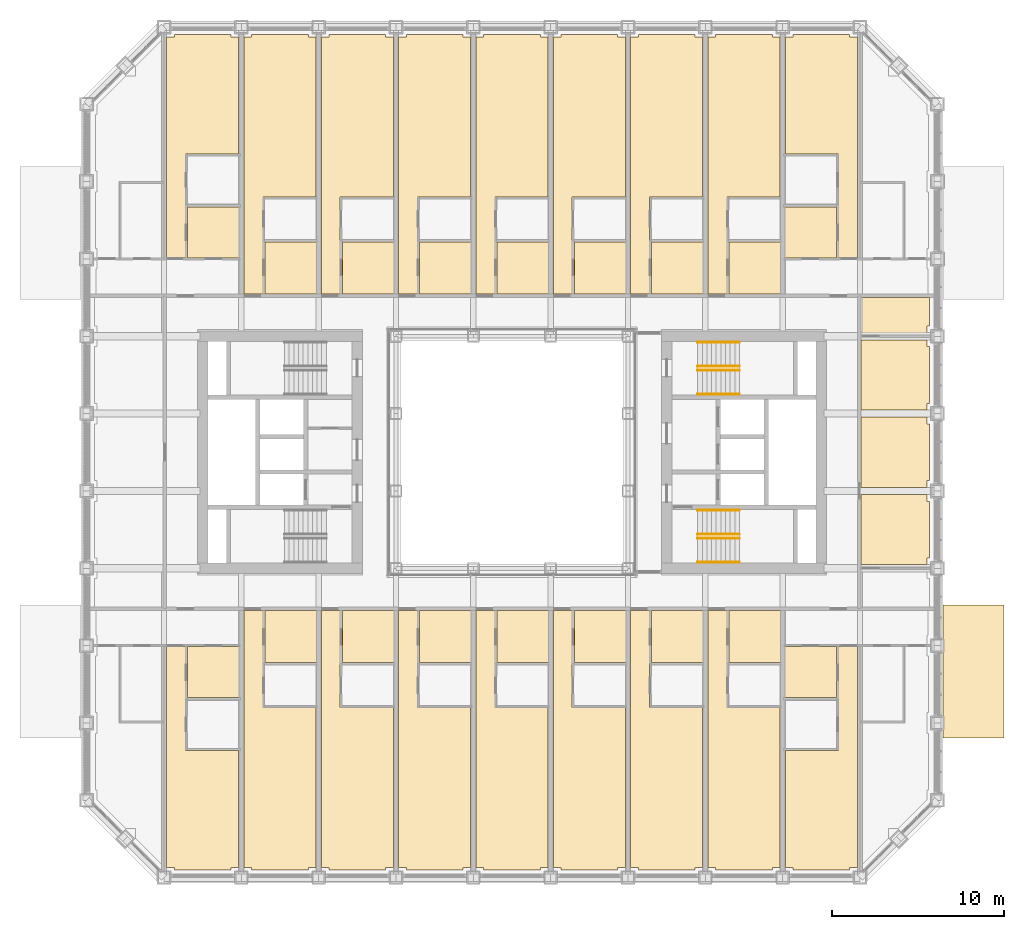
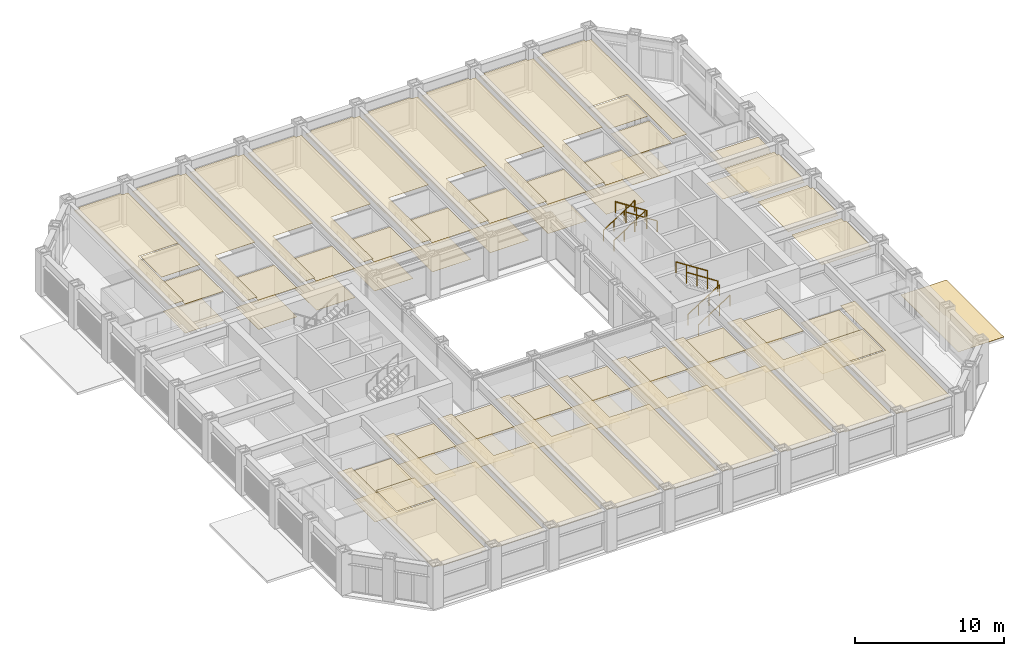
# One storey, part 23 of 24: 8 railings, 4 coverings.
"""IFC4 building model written with IfcOpenShell, lengths in metres."""

from ifc_helpers import new_model, si_unit, direction, frame, origin, origin_2d, place, context, subcontext, project, spatial, line, indexed_curve, circle, outline, extrude, material, layer, layer_set, type_object, element, save


model = new_model("IFC4")

# Units and contexts
model_context = context("Model", 3, precision=1e-05, world=origin(), true_north=direction((0.0, 1.0)))
body_context = subcontext(model_context, "Body", "Model", "MODEL_VIEW")
ifc_project = project(units=[si_unit("LENGTHUNIT", "METRE"), si_unit("AREAUNIT", "SQUARE_METRE"), si_unit("VOLUMEUNIT", "CUBIC_METRE"), si_unit("PLANEANGLEUNIT", "RADIAN"), si_unit("MASSUNIT", "GRAM", prefix="KILO")], contexts=[model_context])

# Site, building, storey
site_placement = place(None, origin())
site = spatial("IfcSite", under=ifc_project, at=site_placement, CompositionType="ELEMENT")
building_placement = place(site_placement, origin())
building = spatial("IfcBuilding", under=site, at=building_placement, Name="Msasa Ring Tower", CompositionType="ELEMENT")
storey_placement = place(building_placement, frame((0.0, 0.0, 26.5)))
storey = spatial("IfcBuildingStorey", under=building, at=storey_placement, Name="L05", CompositionType="ELEMENT", Elevation=26.5)

# Coverings
ifc_material_1 = material(Name="Gypsum plasterboard on a steel suspension grid", Category="steel")
ifc_layer_1 = layer(ifc_material_1, 0.014892578125)
ifc_layer_set_1 = layer_set([ifc_layer_1], Name="C1 SUSPENDED PLASTERBOARD CEILING 15")
covering_type_1 = type_object("IfcCoveringType", Name="C1 SUSPENDED PLASTERBOARD CEILING 15", PredefinedType="CEILING", material=ifc_layer_set_1)
covering_1_placement = place(storey_placement, frame((0.0, 0.0, 2.699951171875)))
element("IfcCovering", 1, at=covering_1_placement, inside=storey, type_object=covering_type_1, Name="Suspended Plasterboard Ceiling 15 L05", PredefinedType="CEILING", context=body_context, shape_type="SweptSolid", body=[
    extrude(outline(indexed_curve([(-19.6494140625, -24.299560546875), (-19.6494140625, -24.1494140625), (-20.095703125, -24.1494140625), (-20.095703125, -11.300537109375), (-19.00048828125, -11.300537109375), (-19.00048828125, -17.34130859375), (-15.904296875, -17.34130859375), (-15.904296875, -24.1494140625), (-16.3505859375, -24.1494140625), (-16.3505859375, -24.299560546875)], segments=[line(1, 2, 3, 4, 5, 6, 7, 8, 9, 10, 1)], self_intersect=False)), origin(), (0.0, 0.0, 1.0), 0.01513671875),
    extrude(outline(indexed_curve([(-19.00048828125, 11.300537109375), (-20.095703125, 11.300537109375), (-20.095703125, 24.1494140625), (-19.6494140625, 24.1494140625), (-19.6494140625, 24.299560546875), (-16.3505859375, 24.299560546875), (-16.3505859375, 24.1494140625), (-15.904296875, 24.1494140625), (-15.904296875, 17.34130859375), (-19.00048828125, 17.34130859375)], segments=[line(1, 2, 3, 4, 5, 6, 7, 8, 9, 10, 1)], self_intersect=False)), origin(), (0.0, 0.0, 1.0), 0.01513671875),
    extrude(outline(indexed_curve([(-18.8994140625, -14.430419921875), (-15.904296875, -14.430419921875), (-15.904296875, -17.2353515625), (-18.8994140625, -17.2353515625)], segments=[line(1, 2, 3, 4, 1)], self_intersect=False)), origin(), (0.0, 0.0, 1.0), 0.01513671875),
    extrude(outline(indexed_curve([(-15.904296875, 17.2353515625), (-15.904296875, 14.430419921875), (-18.8994140625, 14.430419921875), (-18.8994140625, 17.2353515625)], segments=[line(1, 2, 3, 4, 1)], self_intersect=False)), origin(), (0.0, 0.0, 1.0), 0.01513671875),
    extrude(outline(indexed_curve([(-15.1494140625, -24.299560546875), (-15.1494140625, -24.1494140625), (-15.595703125, -24.1494140625), (-15.595703125, -9.200439453125), (-14.50048828125, -9.200439453125), (-14.50048828125, -14.8505859375), (-11.404296875, -14.8505859375), (-11.404296875, -24.1494140625), (-11.8505859375, -24.1494140625), (-11.8505859375, -24.299560546875)], segments=[line(1, 2, 3, 4, 5, 6, 7, 8, 9, 10, 1)], self_intersect=False)), origin(), (0.0, 0.0, 1.0), 0.01513671875),
    extrude(outline(indexed_curve([(-11.8505859375, 24.299560546875), (-11.8505859375, 24.1494140625), (-11.404296875, 24.1494140625), (-11.404296875, 14.8505859375), (-14.50048828125, 14.8505859375), (-14.50048828125, 9.200439453125), (-15.595703125, 9.200439453125), (-15.595703125, 24.1494140625), (-15.1494140625, 24.1494140625), (-15.1494140625, 24.299560546875)], segments=[line(1, 2, 3, 4, 5, 6, 7, 8, 9, 10, 1)], self_intersect=False)), origin(), (0.0, 0.0, 1.0), 0.01513671875),
    extrude(outline(indexed_curve([(-10.6494140625, -24.299560546875), (-10.6494140625, -24.1494140625), (-11.095703125, -24.1494140625), (-11.095703125, -9.200439453125), (-10.00048828125, -9.200439453125), (-10.00048828125, -14.8505859375), (-6.904296875, -14.8505859375), (-6.904296875, -24.1494140625), (-7.3505859375, -24.1494140625), (-7.3505859375, -24.299560546875)], segments=[line(1, 2, 3, 4, 5, 6, 7, 8, 9, 10, 1)], self_intersect=False)), origin(), (0.0, 0.0, 1.0), 0.01513671875),
    extrude(outline(indexed_curve([(-11.095703125, 9.200439453125), (-11.095703125, 24.1494140625), (-10.6494140625, 24.1494140625), (-10.6494140625, 24.299560546875), (-7.3505859375, 24.299560546875), (-7.3505859375, 24.1494140625), (-6.904296875, 24.1494140625), (-6.904296875, 14.8505859375), (-10.00048828125, 14.8505859375), (-10.00048828125, 9.200439453125)], segments=[line(1, 2, 3, 4, 5, 6, 7, 8, 9, 10, 1)], self_intersect=False)), origin(), (0.0, 0.0, 1.0), 0.01513671875),
    extrude(outline(indexed_curve([(-5.50048828125, -9.200439453125), (-5.50048828125, -14.8505859375), (-2.404296875, -14.8505859375), (-2.404296875, -24.1494140625), (-2.8505859375, -24.1494140625), (-2.8505859375, -24.299560546875), (-6.1494140625, -24.299560546875), (-6.1494140625, -24.1494140625), (-6.595703125, -24.1494140625), (-6.595703125, -9.200439453125)], segments=[line(1, 2, 3, 4, 5, 6, 7, 8, 9, 10, 1)], self_intersect=False)), origin(), (0.0, 0.0, 1.0), 0.01513671875),
    extrude(outline(indexed_curve([(-2.8505859375, 24.299560546875), (-2.8505859375, 24.1494140625), (-2.404296875, 24.1494140625), (-2.404296875, 14.8505859375), (-5.50048828125, 14.8505859375), (-5.50048828125, 9.200439453125), (-6.595703125, 9.200439453125), (-6.595703125, 24.1494140625), (-6.1494140625, 24.1494140625), (-6.1494140625, 24.299560546875)], segments=[line(1, 2, 3, 4, 5, 6, 7, 8, 9, 10, 1)], self_intersect=False)), origin(), (0.0, 0.0, 1.0), 0.01513671875),
    extrude(outline(indexed_curve([(-1.00048828125, -9.200439453125), (-1.00048828125, -14.8505859375), (2.095703125, -14.8505859375), (2.095703125, -24.1494140625), (1.6494140625, -24.1494140625), (1.6494140625, -24.299560546875), (-1.6494140625, -24.299560546875), (-1.6494140625, -24.1494140625), (-2.095703125, -24.1494140625), (-2.095703125, -9.200439453125)], segments=[line(1, 2, 3, 4, 5, 6, 7, 8, 9, 10, 1)], self_intersect=False)), origin(), (0.0, 0.0, 1.0), 0.01513671875),
    extrude(outline(indexed_curve([(1.6494140625, 24.299560546875), (1.6494140625, 24.1494140625), (2.095703125, 24.1494140625), (2.095703125, 14.8505859375), (-1.00048828125, 14.8505859375), (-1.00048828125, 9.200439453125), (-2.095703125, 9.200439453125), (-2.095703125, 24.1494140625), (-1.6494140625, 24.1494140625), (-1.6494140625, 24.299560546875)], segments=[line(1, 2, 3, 4, 5, 6, 7, 8, 9, 10, 1)], self_intersect=False)), origin(), (0.0, 0.0, 1.0), 0.01513671875),
    extrude(outline(indexed_curve([(3.49951171875, -9.200439453125), (3.49951171875, -14.8505859375), (6.595703125, -14.8505859375), (6.595703125, -24.1494140625), (6.1494140625, -24.1494140625), (6.1494140625, -24.299560546875), (2.8505859375, -24.299560546875), (2.8505859375, -24.1494140625), (2.404296875, -24.1494140625), (2.404296875, -9.200439453125)], segments=[line(1, 2, 3, 4, 5, 6, 7, 8, 9, 10, 1)], self_intersect=False)), origin(), (0.0, 0.0, 1.0), 0.01513671875),
    extrude(outline(indexed_curve([(6.1494140625, 24.299560546875), (6.1494140625, 24.1494140625), (6.595703125, 24.1494140625), (6.595703125, 14.8505859375), (3.49951171875, 14.8505859375), (3.49951171875, 9.200439453125), (2.404296875, 9.200439453125), (2.404296875, 24.1494140625), (2.8505859375, 24.1494140625), (2.8505859375, 24.299560546875)], segments=[line(1, 2, 3, 4, 5, 6, 7, 8, 9, 10, 1)], self_intersect=False)), origin(), (0.0, 0.0, 1.0), 0.01513671875),
    extrude(outline(indexed_curve([(7.3505859375, -24.299560546875), (7.3505859375, -24.1494140625), (6.904296875, -24.1494140625), (6.904296875, -9.200439453125), (7.99951171875, -9.200439453125), (7.99951171875, -14.8505859375), (11.095703125, -14.8505859375), (11.095703125, -24.1494140625), (10.6494140625, -24.1494140625), (10.6494140625, -24.299560546875)], segments=[line(1, 2, 3, 4, 5, 6, 7, 8, 9, 10, 1)], self_intersect=False)), origin(), (0.0, 0.0, 1.0), 0.01513671875),
    extrude(outline(indexed_curve([(6.904296875, 9.200439453125), (6.904296875, 24.1494140625), (7.3505859375, 24.1494140625), (7.3505859375, 24.299560546875), (10.6494140625, 24.299560546875), (10.6494140625, 24.1494140625), (11.095703125, 24.1494140625), (11.095703125, 14.8505859375), (7.99951171875, 14.8505859375), (7.99951171875, 9.200439453125)], segments=[line(1, 2, 3, 4, 5, 6, 7, 8, 9, 10, 1)], self_intersect=False)), origin(), (0.0, 0.0, 1.0), 0.01513671875),
    extrude(outline(indexed_curve([(12.49951171875, -9.200439453125), (12.49951171875, -14.8505859375), (15.595703125, -14.8505859375), (15.595703125, -24.1494140625), (15.1494140625, -24.1494140625), (15.1494140625, -24.299560546875), (11.8505859375, -24.299560546875), (11.8505859375, -24.1494140625), (11.404296875, -24.1494140625), (11.404296875, -9.200439453125)], segments=[line(1, 2, 3, 4, 5, 6, 7, 8, 9, 10, 1)], self_intersect=False)), origin(), (0.0, 0.0, 1.0), 0.01513671875),
    extrude(outline(indexed_curve([(15.1494140625, 24.299560546875), (15.1494140625, 24.1494140625), (15.595703125, 24.1494140625), (15.595703125, 14.8505859375), (12.49951171875, 14.8505859375), (12.49951171875, 9.200439453125), (11.404296875, 9.200439453125), (11.404296875, 24.1494140625), (11.8505859375, 24.1494140625), (11.8505859375, 24.299560546875)], segments=[line(1, 2, 3, 4, 5, 6, 7, 8, 9, 10, 1)], self_intersect=False)), origin(), (0.0, 0.0, 1.0), 0.01513671875),
    extrude(outline(indexed_curve([(20.095703125, -11.300537109375), (20.095703125, -24.1494140625), (19.6494140625, -24.1494140625), (19.6494140625, -24.299560546875), (16.3505859375, -24.299560546875), (16.3505859375, -24.1494140625), (15.904296875, -24.1494140625), (15.904296875, -17.34130859375), (19.00048828125, -17.34130859375), (19.00048828125, -11.300537109375)], segments=[line(1, 2, 3, 4, 5, 6, 7, 8, 9, 10, 1)], self_intersect=False)), origin(), (0.0, 0.0, 1.0), 0.01513671875),
    extrude(outline(indexed_curve([(18.8994140625, -14.430419921875), (18.8994140625, -17.2353515625), (15.904296875, -17.2353515625), (15.904296875, -14.430419921875)], segments=[line(1, 2, 3, 4, 1)], self_intersect=False)), origin(), (0.0, 0.0, 1.0), 0.01513671875),
    extrude(outline(indexed_curve([(19.00048828125, 11.300537109375), (19.00048828125, 17.34130859375), (15.904296875, 17.34130859375), (15.904296875, 24.1494140625), (16.3505859375, 24.1494140625), (16.3505859375, 24.299560546875), (19.6494140625, 24.299560546875), (19.6494140625, 24.1494140625), (20.095703125, 24.1494140625), (20.095703125, 11.300537109375)], segments=[line(1, 2, 3, 4, 5, 6, 7, 8, 9, 10, 1)], self_intersect=False)), origin(), (0.0, 0.0, 1.0), 0.01513671875),
    extrude(outline(indexed_curve([(18.8994140625, 17.2353515625), (18.8994140625, 14.430419921875), (15.904296875, 14.430419921875), (15.904296875, 17.2353515625)], segments=[line(1, 2, 3, 4, 1)], self_intersect=False)), origin(), (0.0, 0.0, 1.0), 0.01513671875),
    extrude(outline(indexed_curve([(20.300537109375, -2.460693359375), (24.1494140625, -2.460693359375), (24.1494140625, -2.8505859375), (24.299560546875, -2.8505859375), (24.299560546875, -6.1494140625), (24.1494140625, -6.1494140625), (24.1494140625, -6.539306640625), (20.300537109375, -6.539306640625)], segments=[line(1, 2, 3, 4, 5, 6, 7, 8, 1)], self_intersect=False)), origin(), (0.0, 0.0, 1.0), 0.01513671875),
    extrude(outline(indexed_curve([(20.300537109375, 2.039306640625), (24.1494140625, 2.039306640625), (24.1494140625, 1.6494140625), (24.299560546875, 1.6494140625), (24.299560546875, -1.6494140625), (24.1494140625, -1.6494140625), (24.1494140625, -2.039306640625), (20.300537109375, -2.039306640625)], segments=[line(1, 2, 3, 4, 5, 6, 7, 8, 1)], self_intersect=False)), origin(), (0.0, 0.0, 1.0), 0.01513671875),
    extrude(outline(indexed_curve([(20.300537109375, 6.539306640625), (24.1494140625, 6.539306640625), (24.1494140625, 6.1494140625), (24.299560546875, 6.1494140625), (24.299560546875, 2.8505859375), (24.1494140625, 2.8505859375), (24.1494140625, 2.460693359375), (20.300537109375, 2.460693359375)], segments=[line(1, 2, 3, 4, 5, 6, 7, 8, 1)], self_intersect=False)), origin(), (0.0, 0.0, 1.0), 0.01513671875),
])
ifc_material_2 = material(Name="Moisture-resistant gypsum plasterboard on a steel suspension grid", Category="steel")
ifc_layer_2 = layer(ifc_material_2, 0.014892578125)
ifc_layer_set_2 = layer_set([ifc_layer_2], Name="C2 MOISTURE-RESISTANT PLASTERBOARD CEILING 15")
covering_type_2 = type_object("IfcCoveringType", Name="C2 MOISTURE-RESISTANT PLASTERBOARD CEILING 15", PredefinedType="CEILING", material=ifc_layer_set_2)
covering_2_placement = place(storey_placement, frame((0.0, 0.0, 2.39990234375)))
element("IfcCovering", 2, at=covering_2_placement, inside=storey, type_object=covering_type_2, Name="Moisture-Resistant Plasterboard Ceiling 15 L05", PredefinedType="CEILING", context=body_context, shape_type="SweptSolid", body=[
    extrude(outline(indexed_curve([(-18.8994140625, -11.300537109375), (-15.904296875, -11.300537109375), (-15.904296875, -14.299560546875), (-18.8994140625, -14.299560546875)], segments=[line(1, 2, 3, 4, 1)], self_intersect=False)), origin(), (0.0, 0.0, 1.0), 0.01513671875),
    extrude(outline(indexed_curve([(-18.8994140625, 14.299560546875), (-15.904296875, 14.299560546875), (-15.904296875, 11.300537109375), (-18.8994140625, 11.300537109375)], segments=[line(1, 2, 3, 4, 1)], self_intersect=False)), origin(), (0.0, 0.0, 1.0), 0.01513671875),
    extrude(outline(indexed_curve([(-14.3994140625, -9.200439453125), (-11.404296875, -9.200439453125), (-11.404296875, -12.24951171875), (-14.3994140625, -12.24951171875)], segments=[line(1, 2, 3, 4, 1)], self_intersect=False)), origin(), (0.0, 0.0, 1.0), 0.01513671875),
    extrude(outline(indexed_curve([(-14.3994140625, 12.24951171875), (-11.404296875, 12.24951171875), (-11.404296875, 9.200439453125), (-14.3994140625, 9.200439453125)], segments=[line(1, 2, 3, 4, 1)], self_intersect=False)), origin(), (0.0, 0.0, 1.0), 0.01513671875),
    extrude(outline(indexed_curve([(-9.8994140625, -9.200439453125), (-6.904296875, -9.200439453125), (-6.904296875, -12.24951171875), (-9.8994140625, -12.24951171875)], segments=[line(1, 2, 3, 4, 1)], self_intersect=False)), origin(), (0.0, 0.0, 1.0), 0.01513671875),
    extrude(outline(indexed_curve([(-9.8994140625, 12.24951171875), (-6.904296875, 12.24951171875), (-6.904296875, 9.200439453125), (-9.8994140625, 9.200439453125)], segments=[line(1, 2, 3, 4, 1)], self_intersect=False)), origin(), (0.0, 0.0, 1.0), 0.01513671875),
    extrude(outline(indexed_curve([(-5.3994140625, -9.200439453125), (-2.404296875, -9.200439453125), (-2.404296875, -12.24951171875), (-5.3994140625, -12.24951171875)], segments=[line(1, 2, 3, 4, 1)], self_intersect=False)), origin(), (0.0, 0.0, 1.0), 0.01513671875),
    extrude(outline(indexed_curve([(-2.404296875, 12.24951171875), (-2.404296875, 9.200439453125), (-5.3994140625, 9.200439453125), (-5.3994140625, 12.24951171875)], segments=[line(1, 2, 3, 4, 1)], self_intersect=False)), origin(), (0.0, 0.0, 1.0), 0.01513671875),
    extrude(outline(indexed_curve([(-0.8994140625, -9.200439453125), (2.095703125, -9.200439453125), (2.095703125, -12.24951171875), (-0.8994140625, -12.24951171875)], segments=[line(1, 2, 3, 4, 1)], self_intersect=False)), origin(), (0.0, 0.0, 1.0), 0.01513671875),
    extrude(outline(indexed_curve([(2.095703125, 12.24951171875), (2.095703125, 9.200439453125), (-0.8994140625, 9.200439453125), (-0.8994140625, 12.24951171875)], segments=[line(1, 2, 3, 4, 1)], self_intersect=False)), origin(), (0.0, 0.0, 1.0), 0.01513671875),
    extrude(outline(indexed_curve([(3.6005859375, -9.200439453125), (6.595703125, -9.200439453125), (6.595703125, -12.24951171875), (3.6005859375, -12.24951171875)], segments=[line(1, 2, 3, 4, 1)], self_intersect=False)), origin(), (0.0, 0.0, 1.0), 0.01513671875),
    extrude(outline(indexed_curve([(3.6005859375, 12.24951171875), (6.595703125, 12.24951171875), (6.595703125, 9.200439453125), (3.6005859375, 9.200439453125)], segments=[line(1, 2, 3, 4, 1)], self_intersect=False)), origin(), (0.0, 0.0, 1.0), 0.01513671875),
    extrude(outline(indexed_curve([(11.095703125, -9.200439453125), (11.095703125, -12.24951171875), (8.1005859375, -12.24951171875), (8.1005859375, -9.200439453125)], segments=[line(1, 2, 3, 4, 1)], self_intersect=False)), origin(), (0.0, 0.0, 1.0), 0.01513671875),
    extrude(outline(indexed_curve([(8.1005859375, 12.24951171875), (11.095703125, 12.24951171875), (11.095703125, 9.200439453125), (8.1005859375, 9.200439453125)], segments=[line(1, 2, 3, 4, 1)], self_intersect=False)), origin(), (0.0, 0.0, 1.0), 0.01513671875),
    extrude(outline(indexed_curve([(15.595703125, -9.200439453125), (15.595703125, -12.24951171875), (12.6005859375, -12.24951171875), (12.6005859375, -9.200439453125)], segments=[line(1, 2, 3, 4, 1)], self_intersect=False)), origin(), (0.0, 0.0, 1.0), 0.01513671875),
    extrude(outline(indexed_curve([(15.595703125, 12.24951171875), (15.595703125, 9.200439453125), (12.6005859375, 9.200439453125), (12.6005859375, 12.24951171875)], segments=[line(1, 2, 3, 4, 1)], self_intersect=False)), origin(), (0.0, 0.0, 1.0), 0.01513671875),
    extrude(outline(indexed_curve([(18.8994140625, -11.300537109375), (18.8994140625, -14.299560546875), (15.904296875, -14.299560546875), (15.904296875, -11.300537109375)], segments=[line(1, 2, 3, 4, 1)], self_intersect=False)), origin(), (0.0, 0.0, 1.0), 0.01513671875),
    extrude(outline(indexed_curve([(18.8994140625, 14.299560546875), (18.8994140625, 11.300537109375), (15.904296875, 11.300537109375), (15.904296875, 14.299560546875)], segments=[line(1, 2, 3, 4, 1)], self_intersect=False)), origin(), (0.0, 0.0, 1.0), 0.01513671875),
    extrude(outline(indexed_curve([(24.299560546875, 8.99951171875), (24.299560546875, 7.3505859375), (24.1494140625, 7.3505859375), (24.1494140625, 6.960693359375), (20.404296875, 6.960693359375), (20.404296875, 8.99951171875)], segments=[line(1, 2, 3, 4, 5, 6, 1)], self_intersect=False)), origin(), (0.0, 0.0, 1.0), 0.01513671875),
])
ifc_material_3 = material(Name="Porcelain floor tiles in adhesive", Category="ceramic")
ifc_layer_3 = layer(ifc_material_3, 0.010009765625)
ifc_layer_set_3 = layer_set([ifc_layer_3], Name="F4 PORCELAIN TILE ON ADHESIVE 10")
covering_type_3 = type_object("IfcCoveringType", Name="F4 PORCELAIN TILE ON ADHESIVE 10", PredefinedType="FLOORING", material=ifc_layer_set_3)
covering_3_placement = place(storey_placement, origin())
element("IfcCovering", 3, at=covering_3_placement, inside=storey, type_object=covering_type_3, Name="Porcelain Tile On Adhesive 10 L05", PredefinedType="FLOORING", context=body_context, shape_type="SweptSolid", body=[
    extrude(outline(indexed_curve([(-15.87548828125, -11.300537109375), (-15.87548828125, -14.2744140625), (-18.87451171875, -14.2744140625), (-18.87451171875, -11.300537109375)], segments=[line(1, 2, 3, 4, 1)], self_intersect=False)), origin(), (0.0, 0.0, 1.0), 0.010009765625),
    extrude(outline(indexed_curve([(-18.87451171875, 11.300537109375), (-18.87451171875, 14.2744140625), (-15.87548828125, 14.2744140625), (-15.87548828125, 11.300537109375)], segments=[line(1, 2, 3, 4, 1)], self_intersect=False)), origin(), (0.0, 0.0, 1.0), 0.010009765625),
    extrude(outline(indexed_curve([(-11.37548828125, -9.200439453125), (-11.37548828125, -12.224609375), (-14.37451171875, -12.224609375), (-14.37451171875, -9.200439453125)], segments=[line(1, 2, 3, 4, 1)], self_intersect=False)), origin(), (0.0, 0.0, 1.0), 0.010009765625),
    extrude(outline(indexed_curve([(-14.37451171875, 9.200439453125), (-14.37451171875, 12.224609375), (-11.37548828125, 12.224609375), (-11.37548828125, 9.200439453125)], segments=[line(1, 2, 3, 4, 1)], self_intersect=False)), origin(), (0.0, 0.0, 1.0), 0.010009765625),
    extrude(outline(indexed_curve([(-6.87548828125, -9.200439453125), (-6.87548828125, -12.224609375), (-9.87451171875, -12.224609375), (-9.87451171875, -9.200439453125)], segments=[line(1, 2, 3, 4, 1)], self_intersect=False)), origin(), (0.0, 0.0, 1.0), 0.010009765625),
    extrude(outline(indexed_curve([(-9.87451171875, 9.200439453125), (-9.87451171875, 12.224609375), (-6.87548828125, 12.224609375), (-6.87548828125, 9.200439453125)], segments=[line(1, 2, 3, 4, 1)], self_intersect=False)), origin(), (0.0, 0.0, 1.0), 0.010009765625),
    extrude(outline(indexed_curve([(-2.37548828125, -9.200439453125), (-2.37548828125, -12.224609375), (-5.37451171875, -12.224609375), (-5.37451171875, -9.200439453125)], segments=[line(1, 2, 3, 4, 1)], self_intersect=False)), origin(), (0.0, 0.0, 1.0), 0.010009765625),
    extrude(outline(indexed_curve([(-5.37451171875, 9.200439453125), (-5.37451171875, 12.224609375), (-2.37548828125, 12.224609375), (-2.37548828125, 9.200439453125)], segments=[line(1, 2, 3, 4, 1)], self_intersect=False)), origin(), (0.0, 0.0, 1.0), 0.010009765625),
    extrude(outline(indexed_curve([(2.12451171875, -9.200439453125), (2.12451171875, -12.224609375), (-0.87451171875, -12.224609375), (-0.87451171875, -9.200439453125)], segments=[line(1, 2, 3, 4, 1)], self_intersect=False)), origin(), (0.0, 0.0, 1.0), 0.010009765625),
    extrude(outline(indexed_curve([(-0.87451171875, 9.200439453125), (-0.87451171875, 12.224609375), (2.12451171875, 12.224609375), (2.12451171875, 9.200439453125)], segments=[line(1, 2, 3, 4, 1)], self_intersect=False)), origin(), (0.0, 0.0, 1.0), 0.010009765625),
    extrude(outline(indexed_curve([(6.62451171875, -9.200439453125), (6.62451171875, -12.224609375), (3.62548828125, -12.224609375), (3.62548828125, -9.200439453125)], segments=[line(1, 2, 3, 4, 1)], self_intersect=False)), origin(), (0.0, 0.0, 1.0), 0.010009765625),
    extrude(outline(indexed_curve([(3.62548828125, 9.200439453125), (3.62548828125, 12.224609375), (6.62451171875, 12.224609375), (6.62451171875, 9.200439453125)], segments=[line(1, 2, 3, 4, 1)], self_intersect=False)), origin(), (0.0, 0.0, 1.0), 0.010009765625),
    extrude(outline(indexed_curve([(11.12451171875, -9.200439453125), (11.12451171875, -12.224609375), (8.12548828125, -12.224609375), (8.12548828125, -9.200439453125)], segments=[line(1, 2, 3, 4, 1)], self_intersect=False)), origin(), (0.0, 0.0, 1.0), 0.010009765625),
    extrude(outline(indexed_curve([(8.12548828125, 9.200439453125), (8.12548828125, 12.224609375), (11.12451171875, 12.224609375), (11.12451171875, 9.200439453125)], segments=[line(1, 2, 3, 4, 1)], self_intersect=False)), origin(), (0.0, 0.0, 1.0), 0.010009765625),
    extrude(outline(indexed_curve([(15.62451171875, -9.200439453125), (15.62451171875, -12.224609375), (12.62548828125, -12.224609375), (12.62548828125, -9.200439453125)], segments=[line(1, 2, 3, 4, 1)], self_intersect=False)), origin(), (0.0, 0.0, 1.0), 0.010009765625),
    extrude(outline(indexed_curve([(12.62548828125, 9.200439453125), (12.62548828125, 12.224609375), (15.62451171875, 12.224609375), (15.62451171875, 9.200439453125)], segments=[line(1, 2, 3, 4, 1)], self_intersect=False)), origin(), (0.0, 0.0, 1.0), 0.010009765625),
    extrude(outline(indexed_curve([(18.87451171875, -11.300537109375), (18.87451171875, -14.2744140625), (15.87548828125, -14.2744140625), (15.87548828125, -11.300537109375)], segments=[line(1, 2, 3, 4, 1)], self_intersect=False)), origin(), (0.0, 0.0, 1.0), 0.010009765625),
    extrude(outline(indexed_curve([(15.87548828125, 11.300537109375), (15.87548828125, 14.2744140625), (18.87451171875, 14.2744140625), (18.87451171875, 11.300537109375)], segments=[line(1, 2, 3, 4, 1)], self_intersect=False)), origin(), (0.0, 0.0, 1.0), 0.010009765625),
    extrude(outline(indexed_curve([(20.300537109375, 8.99951171875), (24.299560546875, 8.99951171875), (24.299560546875, 7.3505859375), (24.1494140625, 7.3505859375), (24.1494140625, 6.83056640625), (20.300537109375, 6.83056640625)], segments=[line(1, 2, 3, 4, 5, 6, 1)], self_intersect=False)), origin(), (0.0, 0.0, 1.0), 0.010009765625),
])

# Railings
ifc_material_4 = material(Name="Stainless steel", Category="steel")
railing_type = type_object("IfcRailingType", Name="HR1 HANDRAIL 900", PredefinedType="HANDRAIL", material=ifc_material_4)
for number, where, name in (
    (4, (10.800048828125, -6.39990234375, 0.175048828125), "Handrail stair SEA L05 1"),
    (5, (10.800048828125, -5.0, 0.175048828125), "Handrail stair SEA L05 2"),
):
    element("IfcRailing", number, at=place(storey_placement, frame(where)), inside=storey, type_object=railing_type, Name=name, PredefinedType="HANDRAIL", context=body_context, shape_type="SweptSolid", body=[
        extrude(circle(Radius=0.02392578125, at=origin_2d()), frame((0.0, 0.0, 0.8759765625), z_axis=(0.839153699163, 0.0, 0.543894354798), x_axis=(0.0, 1.0, 0.0)), (0.0, 0.0, 1.0), 2.895751953125),
        extrude(circle(Radius=0.02099609375, at=origin_2d()), origin(), (0.0, 0.0, 1.0), 0.851806640625),
        extrude(circle(Radius=0.02099609375, at=origin_2d()), frame((0.81005859375, 0.0, 0.52490234375)), (0.0, 0.0, 1.0), 0.851806640625),
        extrude(circle(Radius=0.02099609375, at=origin_2d()), frame((1.619873046875, 0.0, 1.050048828125)), (0.0, 0.0, 1.0), 0.851806640625),
        extrude(circle(Radius=0.02099609375, at=origin_2d()), frame((2.429931640625, 0.0, 1.574951171875)), (0.0, 0.0, 1.0), 0.851806640625),
    ])
for number, where, name in (
    (6, (13.22998046875, -4.77490234375, 1.925048828125), "Handrail stair SEA L05 3"),
    (7, (13.22998046875, -3.375, 1.925048828125), "Handrail stair SEA L05 4"),
):
    element("IfcRailing", number, at=place(storey_placement, frame(where)), inside=storey, type_object=railing_type, Name=name, PredefinedType="HANDRAIL", context=body_context, shape_type="SweptSolid", body=[
        extrude(circle(Radius=0.02392578125, at=origin_2d()), frame((0.0, 0.0, 0.8759765625), z_axis=(-0.839153699163, 0.0, 0.543894354798), x_axis=(0.0, -1.0, 0.0)), (0.0, 0.0, 1.0), 2.895751953125),
        extrude(circle(Radius=0.02099609375, at=origin_2d()), origin(), (0.0, 0.0, 1.0), 0.851806640625),
        extrude(circle(Radius=0.02099609375, at=origin_2d()), frame((-0.81005859375, 0.0, 0.52490234375)), (0.0, 0.0, 1.0), 0.851806640625),
        extrude(circle(Radius=0.02099609375, at=origin_2d()), frame((-1.619873046875, 0.0, 1.050048828125)), (0.0, 0.0, 1.0), 0.851806640625),
        extrude(circle(Radius=0.02099609375, at=origin_2d()), frame((-2.429931640625, 0.0, 1.574951171875)), (0.0, 0.0, 1.0), 0.851806640625),
    ])
for number, where, name in (
    (8, (10.800048828125, 5.0, 0.175048828125), "Handrail stair SEB L05 1"),
    (9, (10.800048828125, 6.39990234375, 0.175048828125), "Handrail stair SEB L05 2"),
):
    element("IfcRailing", number, at=place(storey_placement, frame(where)), inside=storey, type_object=railing_type, Name=name, PredefinedType="HANDRAIL", context=body_context, shape_type="SweptSolid", body=[
        extrude(circle(Radius=0.02392578125, at=origin_2d()), frame((0.0, 0.0, 0.8759765625), z_axis=(0.839153699163, 0.0, 0.543894354798), x_axis=(0.0, 1.0, 0.0)), (0.0, 0.0, 1.0), 2.895751953125),
        extrude(circle(Radius=0.02099609375, at=origin_2d()), origin(), (0.0, 0.0, 1.0), 0.851806640625),
        extrude(circle(Radius=0.02099609375, at=origin_2d()), frame((0.81005859375, 0.0, 0.52490234375)), (0.0, 0.0, 1.0), 0.851806640625),
        extrude(circle(Radius=0.02099609375, at=origin_2d()), frame((1.619873046875, 0.0, 1.050048828125)), (0.0, 0.0, 1.0), 0.851806640625),
        extrude(circle(Radius=0.02099609375, at=origin_2d()), frame((2.429931640625, 0.0, 1.574951171875)), (0.0, 0.0, 1.0), 0.851806640625),
    ])
for number, where, name in (
    (10, (13.22998046875, 3.375, 1.925048828125), "Handrail stair SEB L05 3"),
    (11, (13.22998046875, 4.77490234375, 1.925048828125), "Handrail stair SEB L05 4"),
):
    element("IfcRailing", number, at=place(storey_placement, frame(where)), inside=storey, type_object=railing_type, Name=name, PredefinedType="HANDRAIL", context=body_context, shape_type="SweptSolid", body=[
        extrude(circle(Radius=0.02392578125, at=origin_2d()), frame((0.0, 0.0, 0.8759765625), z_axis=(-0.839153699163, 0.0, 0.543894354798), x_axis=(0.0, -1.0, 0.0)), (0.0, 0.0, 1.0), 2.895751953125),
        extrude(circle(Radius=0.02099609375, at=origin_2d()), origin(), (0.0, 0.0, 1.0), 0.851806640625),
        extrude(circle(Radius=0.02099609375, at=origin_2d()), frame((-0.81005859375, 0.0, 0.52490234375)), (0.0, 0.0, 1.0), 0.851806640625),
        extrude(circle(Radius=0.02099609375, at=origin_2d()), frame((-1.619873046875, 0.0, 1.050048828125)), (0.0, 0.0, 1.0), 0.851806640625),
        extrude(circle(Radius=0.02099609375, at=origin_2d()), frame((-2.429931640625, 0.0, 1.574951171875)), (0.0, 0.0, 1.0), 0.851806640625),
    ])

# Covering
ifc_material_5 = material(Name="Liquid-applied polyurethane roof membrane", Category="polyurethane")
ifc_layer_4 = layer(ifc_material_5, 0.0048828125)
ifc_layer_set_4 = layer_set([ifc_layer_4], Name="RF2 LIQUID-APPLIED MEMBRANE ROOF COVERING 5")
covering_type_4 = type_object("IfcCoveringType", Name="RF2 LIQUID-APPLIED MEMBRANE ROOF COVERING 5", PredefinedType="ROOFING", material=ifc_layer_set_4)
covering_4_placement = place(storey_placement, origin())
element("IfcCovering", 12, at=covering_4_placement, inside=storey, type_object=covering_type_4, Name="Roof covering on stair head-house roof pes", PredefinedType="ROOFING", context=body_context, shape_type="SweptSolid", body=[
    extrude(outline(indexed_curve([(25.075439453125, -16.62451171875), (25.075439453125, -8.87548828125), (28.62451171875, -8.87548828125), (28.62451171875, -16.62451171875)], segments=[line(1, 2, 3, 4, 1)], self_intersect=False)), origin(), (0.0, 0.0, 1.0), 0.0048828125),
])

save(model, "model.ifc")
